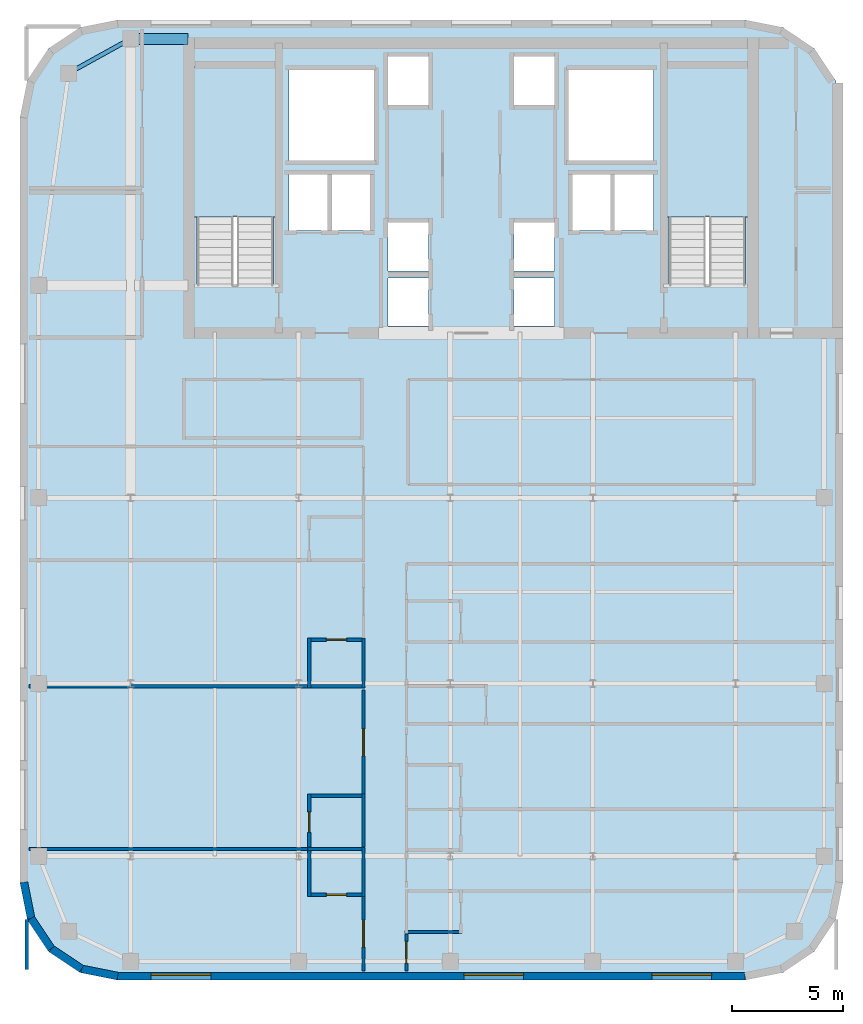
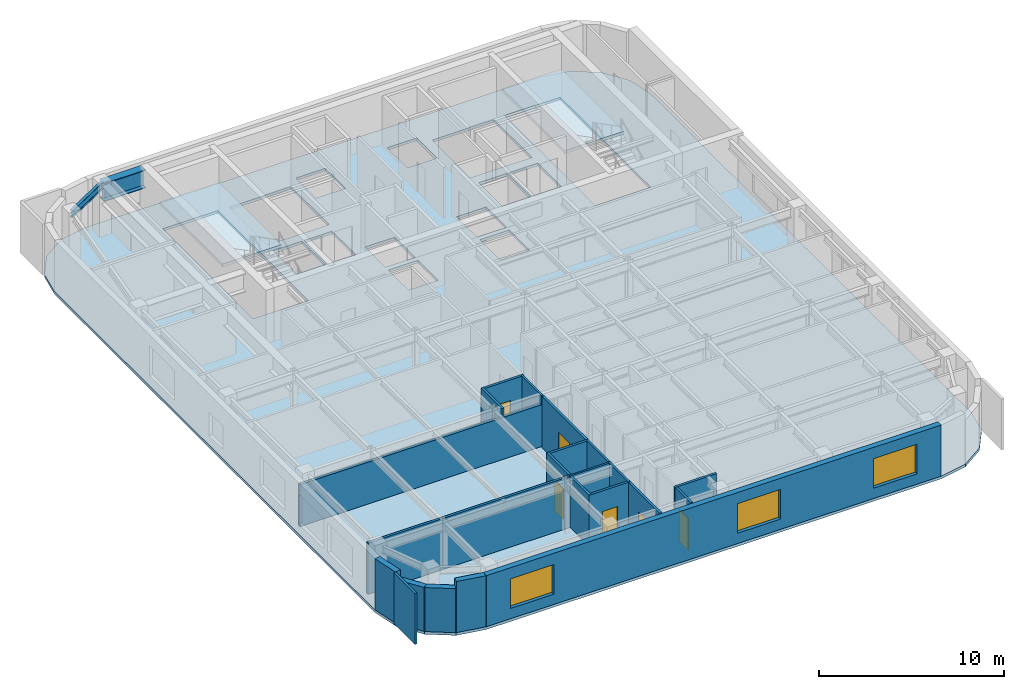
# One storey, part 3 of 9: 22 walls, 6 doors, 3 slabs, 3 windows, 2 beams, 9 openings, 2 elements without a shape of their own.
"""IFC4 building model written with IfcOpenShell, lengths in metres."""

from ifc_helpers import new_model, si_unit, direction, frame, frame_2d, origin, origin_2d, place, context, subcontext, project, spatial, polyline, rectangle, i_section, outline, extrude, source, transform, mapped, material, layer, layer_set, material_profile, profile_set, type_object, type_shapes, element, fill, aggregate, save


model = new_model("IFC4")

# Units and contexts
model_context = context("Model", 3, precision=1e-05, world=origin(), true_north=direction((0.0, 1.0)))
body_context = subcontext(model_context, "Body", "Model", "MODEL_VIEW")
ifc_project = project(units=[si_unit("LENGTHUNIT", "METRE"), si_unit("AREAUNIT", "SQUARE_METRE"), si_unit("VOLUMEUNIT", "CUBIC_METRE"), si_unit("PLANEANGLEUNIT", "RADIAN"), si_unit("MASSUNIT", "GRAM", prefix="KILO")], contexts=[model_context])

# Site, building, storey
site_placement = place(None, origin())
site = spatial("IfcSite", under=ifc_project, at=site_placement, CompositionType="ELEMENT")
building_placement = place(site_placement, origin())
building = spatial("IfcBuilding", under=site, at=building_placement, Name="Tolvann Quenvar Hotel", CompositionType="ELEMENT")
storey_placement = place(building_placement, frame((0.0, 0.0, 216.800048828125)))
storey = spatial("IfcBuildingStorey", under=building, at=storey_placement, Name="L57", CompositionType="ELEMENT", Elevation=216.800048828125)

# Beams
ifc_material_1 = material(Name="Steel Grade 350", Category="steel")
ifc_material_profile_1 = material_profile(ifc_material_1, i_section(OverallWidth=0.5, OverallDepth=1.199951171875, WebThickness=0.01611328125, FlangeThickness=0.0400390625, at=origin_2d()), Name="1200WB455")
ifc_profile_set_1 = profile_set([ifc_material_profile_1], Name="Steel Grade 350")
beam_type_1 = type_object("IfcBeamType", Name="BM_TG_1200WB455", PredefinedType="USERDEFINED", material=ifc_profile_set_1)
shared_shape_1 = source(origin(), body_context, "Body", "SweptSolid", [
    extrude(i_section(OverallWidth=0.5, OverallDepth=1.199951171875, WebThickness=0.01611328125, FlangeThickness=0.0400390625, at=origin_2d()), origin(), (0.0, 0.0, 1.0), 2.599853515625),
])
type_shapes(beam_type_1, [shared_shape_1])
beam_1_placement = place(storey_placement, frame((7.60009765625, 45.14990234375, 2.77001953125), z_axis=(1.0, 0.0, 0.0), x_axis=(0.0, 1.0, 0.0)))
element("IfcBeam", 1, at=beam_1_placement, inside=storey, type_object=beam_type_1, Name="BM-L57-CTW-CN", ObjectType="TRANSFER GIRDER", PredefinedType="USERDEFINED", context=body_context, shape_type="MappedRepresentation", body=[
    mapped(shared_shape_1, transform((0.0, 0.0, 0.0), x_axis=(1.0, 0.0, 0.0), y_axis=(0.0, 1.0, 0.0), z_axis=(0.0, 0.0, 1.0), scale=1.0)),
])
ifc_material_profile_2 = material_profile(ifc_material_1, i_section(OverallWidth=0.19091796875, OverallDepth=0.4599609375, WebThickness=0.010009765625, FlangeThickness=0.01611328125, FilletRadius=0.011474609375, at=origin_2d()), Name="460UB82")
ifc_profile_set_2 = profile_set([ifc_material_profile_2], Name="Steel Grade 350")
beam_type_2 = type_object("IfcBeamType", Name="BM_SPAND_460UB82", PredefinedType="SPANDREL", material=ifc_profile_set_2)
shared_shape_2 = source(origin(), body_context, "Body", "SweptSolid", [
    extrude(i_section(OverallWidth=0.19091796875, OverallDepth=0.4599609375, WebThickness=0.010009765625, FlangeThickness=0.01611328125, FilletRadius=0.011474609375, at=origin_2d()), origin(), (0.0, 0.0, 1.0), 3.200439453125),
])
type_shapes(beam_type_2, [shared_shape_2])
beam_2_placement = place(storey_placement, frame((4.800048828125, 43.60009765625, 3.139892578125), z_axis=(0.87492264453, 0.48426270359, 0.0), x_axis=(-0.48426270359, 0.87492264453, 0.0)))
element("IfcBeam", 2, at=beam_2_placement, inside=storey, type_object=beam_type_2, Name="BM-L57-FLK-W3", PredefinedType="SPANDREL", context=body_context, shape_type="MappedRepresentation", body=[
    mapped(shared_shape_2, transform((0.0, 0.0, 0.0), x_axis=(1.0, 0.0, 0.0), y_axis=(0.0, 1.0, 0.0), z_axis=(0.0, 0.0, 1.0), scale=1.0)),
])

# Stair, slab
ifc_material_2 = material(Name="Concrete N40 (40 MPa)", Category="concrete")
stair_type = type_object("IfcStairType", Name="STAIR", PredefinedType="HALF_TURN_STAIR", material=ifc_material_2)
stair_1_placement = place(storey_placement, origin())
stair_1 = element("IfcStair", 3, at=stair_1_placement, inside=storey, type_object=stair_type, Name="L57 ST-C1", PredefinedType="HALF_TURN_STAIR")
ifc_layer_1 = layer(ifc_material_2, 0.199951171875)
ifc_layer_set_1 = layer_set([ifc_layer_1], Name="Concrete N40 (40 MPa)")
slab_type_1 = type_object("IfcSlabType", Name="SLAB_LANDING", PredefinedType="LANDING", material=ifc_layer_set_1)
slab_1_placement = place(storey_placement, frame((0.0, 0.0, 1.574951171875)))
slab_1 = element("IfcSlab", 4, at=slab_1_placement, type_object=slab_type_1, Name="ST-C1 landing 1", PredefinedType="LANDING", context=body_context, shape_type="SweptSolid", body=[
    extrude(outline(polyline([(14.179931640625, 37.10498046875), (14.179931640625, 43.8798828125), (10.469970703125, 43.8798828125), (10.469970703125, 37.10498046875), (14.179931640625, 37.10498046875)])), origin(), (0.0, 0.0, 1.0), 0.199951171875),
])
aggregate(stair_1, [slab_1])

stair_2_placement = place(storey_placement, origin())
stair_2 = element("IfcStair", 5, at=stair_2_placement, inside=storey, type_object=stair_type, Name="L57 ST-C2", PredefinedType="HALF_TURN_STAIR")
slab_2_placement = place(storey_placement, frame((0.0, 0.0, 1.574951171875)))
slab_2 = element("IfcSlab", 6, at=slab_2_placement, type_object=slab_type_1, Name="ST-C2 landing 1", PredefinedType="LANDING", context=body_context, shape_type="SweptSolid", body=[
    extrude(outline(polyline([(35.530029296875, 37.10498046875), (35.530029296875, 43.8798828125), (31.820068359375, 43.8798828125), (31.820068359375, 37.10498046875), (35.530029296875, 37.10498046875)])), origin(), (0.0, 0.0, 1.0), 0.199951171875),
])
aggregate(stair_2, [slab_2])

# Slab
ifc_layer_2 = layer(ifc_material_2, 0.179931640625)
ifc_layer_set_2 = layer_set([ifc_layer_2], Name="Concrete N40 (40 MPa)")
slab_type_2 = type_object("IfcSlabType", Name="SLAB_TWR_180", PredefinedType="FLOOR", material=ifc_layer_set_2)
slab_3_placement = place(storey_placement, frame((0.0, 0.0, -0.179931640625)))
element("IfcSlab", 7, at=slab_3_placement, inside=storey, type_object=slab_type_2, Name="Level L57 Structural Floor Slab", PredefinedType="FLOOR", context=body_context, shape_type="SweptSolid", body=[
    extrude(outline(polyline([(2.60009765625, 7.0), (2.934814453125, 5.316162109375), (3.888671875, 3.888671875), (5.316162109375, 2.934814453125), (7.0, 2.60009765625), (35.39990234375, 2.60009765625), (37.083740234375, 2.934814453125), (38.51123046875, 3.888671875), (39.465087890625, 5.316162109375), (39.800048828125, 7.0), (39.800048828125, 41.60009765625), (39.465087890625, 43.28369140625), (38.51123046875, 44.711181640625), (37.083740234375, 45.6650390625), (35.39990234375, 46.0), (7.0, 46.0), (5.316162109375, 45.6650390625), (3.888671875, 44.711181640625), (2.934814453125, 43.28369140625), (2.60009765625, 41.60009765625), (2.60009765625, 7.0)]), holes=[polyline([(31.949951171875, 34.02490234375), (31.949951171875, 43.800048828125), (35.39990234375, 43.800048828125), (35.39990234375, 34.02490234375), (31.949951171875, 34.02490234375)]), polyline([(27.39990234375, 43.75), (31.25, 43.75), (31.25, 39.64990234375), (27.39990234375, 39.64990234375), (27.39990234375, 43.75)]), polyline([(29.449951171875, 39.02001953125), (31.25, 39.02001953125), (31.25, 36.47998046875), (29.449951171875, 36.47998046875), (29.449951171875, 39.02001953125)]), polyline([(27.574951171875, 39.02001953125), (29.324951171875, 39.02001953125), (29.324951171875, 36.47998046875), (27.574951171875, 36.47998046875), (27.574951171875, 39.02001953125)]), polyline([(24.929931640625, 36.840087890625), (26.77001953125, 36.840087890625), (26.77001953125, 34.659912109375), (24.929931640625, 34.659912109375), (24.929931640625, 36.840087890625)]), polyline([(24.929931640625, 44.340087890625), (26.77001953125, 44.340087890625), (26.77001953125, 42.159912109375), (24.929931640625, 42.159912109375), (24.929931640625, 44.340087890625)]), polyline([(24.929931640625, 32.159912109375), (24.929931640625, 34.340087890625), (26.77001953125, 34.340087890625), (26.77001953125, 32.159912109375), (24.929931640625, 32.159912109375)]), polyline([(19.22998046875, 36.840087890625), (21.070068359375, 36.840087890625), (21.070068359375, 34.659912109375), (19.22998046875, 34.659912109375), (19.22998046875, 36.840087890625)]), polyline([(19.22998046875, 44.340087890625), (21.070068359375, 44.340087890625), (21.070068359375, 42.159912109375), (19.22998046875, 42.159912109375), (19.22998046875, 44.340087890625)]), polyline([(19.22998046875, 32.159912109375), (19.22998046875, 34.340087890625), (21.070068359375, 34.340087890625), (21.070068359375, 32.159912109375), (19.22998046875, 32.159912109375)]), polyline([(14.75, 43.75), (18.60009765625, 43.75), (18.60009765625, 39.64990234375), (14.75, 39.64990234375), (14.75, 43.75)]), polyline([(16.675048828125, 39.02001953125), (18.425048828125, 39.02001953125), (18.425048828125, 36.47998046875), (16.675048828125, 36.47998046875), (16.675048828125, 39.02001953125)]), polyline([(14.75, 39.02001953125), (16.550048828125, 39.02001953125), (16.550048828125, 36.47998046875), (14.75, 36.47998046875), (14.75, 39.02001953125)]), polyline([(10.60009765625, 34.02490234375), (10.60009765625, 43.800048828125), (14.050048828125, 43.800048828125), (14.050048828125, 34.02490234375), (10.60009765625, 34.02490234375)])]), origin(), (0.0, 0.0, 1.0), 0.179931640625),
])

# Walls
ifc_material_3 = material(Name="Kiln-fired red and buff architectural clay brickwork and terracotta masonry", Category="masonry")
ifc_layer_3 = layer(ifc_material_3, 0.35009765625)
ifc_layer_set_3 = layer_set([ifc_layer_3], Name="Kiln-fired red and buff architectural clay brickwork and terracotta masonry")
wall_type_1 = type_object("IfcWallType", Name="WALL_EXT_BRICK_350", PredefinedType="SOLIDWALL", material=ifc_layer_set_3)
for number, where, z_axis, x_axis, name in (
    (8, (3.099609375, 5.384521484375, 0.0), (0.0, 0.0, 1.0), (0.555623290322, -0.831434158098, 0.0), "Exterior Chicago Brick Wall L57-E01"),
    (9, (4.014892578125, 4.014892578125, 0.0), (0.0, 0.0, 1.0), (0.831434158098, -0.555623290322, 0.0), "Exterior Chicago Brick Wall L57-E02"),
):
    element("IfcWall", number, at=place(storey_placement, frame(where, z_axis=z_axis, x_axis=x_axis)), inside=storey, type_object=wall_type_1, Name=name, PredefinedType="SOLIDWALL", context=body_context, shape_type="SweptSolid", body=[
        extrude(rectangle(XDim=1.647216796875, YDim=0.35009765625, at=frame_2d((0.82373046875, 0.0))), origin(), (0.0, 0.0, 1.0), 2.89990234375),
    ])
wall_1_placement = place(storey_placement, frame((5.384521484375, 3.099609375, 0.0), z_axis=(0.0, 0.0, 1.0), x_axis=(0.980788844421, -0.195072403631, 0.0)))
element("IfcWall", 10, at=wall_1_placement, inside=storey, type_object=wall_type_1, Name="Exterior Chicago Brick Wall L57-E03", PredefinedType="SOLIDWALL", context=body_context, shape_type="SweptSolid", body=[
    extrude(rectangle(XDim=1.66455078125, YDim=0.35009765625, at=frame_2d((0.832275390625, 0.0))), origin(), (0.0, 0.0, 1.0), 3.369873046875),
])

# Wall, openings, windows
wall_2_placement = place(storey_placement, frame((7.01708984375, 2.77490234375, 0.0), z_axis=(0.0, 0.0, 1.0), x_axis=(1.0, 0.0, 0.0)))
wall_2 = element("IfcWall", 11, at=wall_2_placement, inside=storey, type_object=wall_type_1, Name="Exterior Chicago Brick Wall L57-E04", PredefinedType="SOLIDWALL", context=body_context, shape_type="SweptSolid", body=[
    extrude(rectangle(XDim=28.36572265625, YDim=0.35009765625, at=frame_2d((14.182861328125, 0.0))), origin(), (0.0, 0.0, 1.0), 3.369873046875),
])
opening_1_placement = place(wall_2_placement, frame((1.513916015625, 0.0, 0.679931640625)))
opening_1 = element("IfcOpeningElement", 12, at=opening_1_placement, cuts=wall_2, Name="Opening W-04", PredefinedType="OPENING", context=body_context, shape_type="SweptSolid", body=[
    extrude(rectangle(XDim=2.699951171875, YDim=1.949951171875, at=frame_2d((1.35009765625, 0.97509765625))), frame((0.0, 0.18505859375, 0.0), z_axis=(0.0, -1.0, 0.0), x_axis=(1.0, 0.0, 0.0)), (0.0, 0.0, 1.0), 0.3701171875),
])
opening_2_placement = place(wall_2_placement, frame((15.64697265625, 0.0, 0.679931640625)))
opening_2 = element("IfcOpeningElement", 13, at=opening_2_placement, cuts=wall_2, Name="Opening W-04", PredefinedType="OPENING", context=body_context, shape_type="SweptSolid", body=[
    extrude(rectangle(XDim=2.699951171875, YDim=1.949951171875, at=frame_2d((1.35009765625, 0.97509765625))), frame((0.0, 0.18505859375, 0.0), z_axis=(0.0, -1.0, 0.0), x_axis=(1.0, 0.0, 0.0)), (0.0, 0.0, 1.0), 0.3701171875),
])
opening_3_placement = place(wall_2_placement, frame((24.152099609375, 0.0, 0.679931640625)))
opening_3 = element("IfcOpeningElement", 14, at=opening_3_placement, cuts=wall_2, Name="Opening W-04", PredefinedType="OPENING", context=body_context, shape_type="SweptSolid", body=[
    extrude(rectangle(XDim=2.699951171875, YDim=1.949951171875, at=frame_2d((1.35009765625, 0.97509765625))), frame((0.0, 0.18505859375, 0.0), z_axis=(0.0, -1.0, 0.0), x_axis=(1.0, 0.0, 0.0)), (0.0, 0.0, 1.0), 0.3701171875),
])
ifc_material_4 = material(Name="Thermally broken bronze-anodised aluminium frame with double low-E glazing", Category="aluminium")
window_type = type_object("IfcWindowType", Name="WIN_STE_2700x2150", PartitioningType="TRIPLE_PANEL_HORIZONTAL", PredefinedType="WINDOW", material=ifc_material_4)
shared_shape_3 = source(origin(), body_context, "Body", "SweptSolid", [
    extrude(rectangle(XDim=2.699951171875, YDim=1.949951171875, at=frame_2d((1.35009765625, 0.97509765625))), frame((0.0, 0.090087890625, 0.0), z_axis=(0.0, -1.0, 0.0), x_axis=(1.0, 0.0, 0.0)), (0.0, 0.0, 1.0), 0.06005859375),
])
type_shapes(window_type, [shared_shape_3])
window_1_placement = place(opening_1_placement, origin())
window_1 = element("IfcWindow", 15, at=window_1_placement, inside=storey, type_object=window_type, Name="Chicago Window W-04 (EW-L57-E04-W01)", OverallHeight=1.949951171875, OverallWidth=2.699951171875, PartitioningType="TRIPLE_PANEL_HORIZONTAL", PredefinedType="WINDOW", context=body_context, shape_type="MappedRepresentation", body=[
    mapped(shared_shape_3, transform((0.0, 0.0, 0.0), x_axis=(1.0, 0.0, 0.0), y_axis=(0.0, 1.0, 0.0), z_axis=(0.0, 0.0, 1.0), scale=1.0)),
])
fill(opening_1, window_1)
window_2_placement = place(opening_2_placement, origin())
window_2 = element("IfcWindow", 16, at=window_2_placement, inside=storey, type_object=window_type, Name="Chicago Window W-04 (EW-L57-E04-W02)", OverallHeight=1.949951171875, OverallWidth=2.699951171875, PartitioningType="TRIPLE_PANEL_HORIZONTAL", PredefinedType="WINDOW", context=body_context, shape_type="MappedRepresentation", body=[
    mapped(shared_shape_3, transform((0.0, 0.0, 0.0), x_axis=(1.0, 0.0, 0.0), y_axis=(0.0, 1.0, 0.0), z_axis=(0.0, 0.0, 1.0), scale=1.0)),
])
fill(opening_2, window_2)
window_3_placement = place(opening_3_placement, origin())
window_3 = element("IfcWindow", 17, at=window_3_placement, inside=storey, type_object=window_type, Name="Chicago Window W-04 (EW-L57-E04-W03)", OverallHeight=1.949951171875, OverallWidth=2.699951171875, PartitioningType="TRIPLE_PANEL_HORIZONTAL", PredefinedType="WINDOW", context=body_context, shape_type="MappedRepresentation", body=[
    mapped(shared_shape_3, transform((0.0, 0.0, 0.0), x_axis=(1.0, 0.0, 0.0), y_axis=(0.0, 1.0, 0.0), z_axis=(0.0, 0.0, 1.0), scale=1.0)),
])
fill(opening_3, window_3)

# Walls
wall_3_placement = place(storey_placement, frame((2.77490234375, 7.01708984375, 0.0), z_axis=(0.0, 0.0, 1.0), x_axis=(0.195072403631, -0.980788844421, 0.0)))
element("IfcWall", 18, at=wall_3_placement, inside=storey, type_object=wall_type_1, Name="Exterior Chicago Brick Wall L57-E20", PredefinedType="SOLIDWALL", context=body_context, shape_type="SweptSolid", body=[
    extrude(rectangle(XDim=1.66455078125, YDim=0.35009765625, at=frame_2d((0.832275390625, 0.0))), origin(), (0.0, 0.0, 1.0), 3.369873046875),
])
ifc_material_5 = material(Name="Moisture-resistant acoustic plumbing wall assembly")
ifc_layer_4 = layer(ifc_material_5, 0.1201171875)
ifc_layer_set_4 = layer_set([ifc_layer_4], Name="Moisture-resistant acoustic plumbing wall assembly")
wall_type_2 = type_object("IfcWallType", Name="WALL_PART_BATH_120", PredefinedType="PLUMBINGWALL", material=ifc_layer_set_4)
wall_4_placement = place(storey_placement, frame((15.610107421875, 8.52001953125, 0.0), z_axis=(0.0, 0.0, 1.0), x_axis=(1.0, 0.0, 0.0)))
element("IfcWall", 19, at=wall_4_placement, inside=storey, type_object=wall_type_2, Name="Non-Rated Plumbing Partition PT-SPC-L57-ENS-WO01-N", PredefinedType="PLUMBINGWALL", context=body_context, shape_type="SweptSolid", body=[
    extrude(rectangle(XDim=2.58984375, YDim=0.1201171875, at=frame_2d((1.294921875, 0.0))), origin(), (0.0, 0.0, 1.0), 3.369873046875),
])
wall_5_placement = place(storey_placement, frame((18.1298828125, 6.383056640625, 0.0), z_axis=(0.0, 0.0, 1.0), x_axis=(0.0, 1.0, 0.0)))
element("IfcWall", 20, at=wall_5_placement, inside=storey, type_object=wall_type_2, Name="Non-Rated Plumbing Partition PT-SPC-L57-ENS-WO01-E", PredefinedType="PLUMBINGWALL", context=body_context, shape_type="SweptSolid", body=[
    extrude(rectangle(XDim=2.20703125, YDim=0.1201171875, at=frame_2d((1.103515625, 0.0))), origin(), (0.0, 0.0, 1.0), 3.369873046875),
])
wall_6_placement = place(storey_placement, frame((18.1298828125, 8.610107421875, 0.0), z_axis=(0.0, 0.0, 1.0), x_axis=(0.0, 1.0, 0.0)))
element("IfcWall", 21, at=wall_6_placement, inside=storey, type_object=wall_type_2, Name="Non-Rated Plumbing Partition PT-SPC-L57-ENS-WO02-E", PredefinedType="PLUMBINGWALL", context=body_context, shape_type="SweptSolid", body=[
    extrude(rectangle(XDim=2.389892578125, YDim=0.1201171875, at=frame_2d((1.19482421875, 0.0))), origin(), (0.0, 0.0, 1.0), 3.369873046875),
])
wall_7_placement = place(storey_placement, frame((18.1298828125, 15.81005859375, 0.0), z_axis=(0.0, 0.0, 1.0), x_axis=(0.0, 1.0, 0.0)))
element("IfcWall", 22, at=wall_7_placement, inside=storey, type_object=wall_type_2, Name="Non-Rated Plumbing Partition PT-SPC-L57-ENS-WO03-E", PredefinedType="PLUMBINGWALL", context=body_context, shape_type="SweptSolid", body=[
    extrude(rectangle(XDim=2.244873046875, YDim=0.1201171875, at=frame_2d((1.12255859375, 0.0))), origin(), (0.0, 0.0, 1.0), 3.369873046875),
])
ifc_material_6 = material(Name="Acoustic twin-stud fire-rated gypsum plasterboard partition")
ifc_layer_5 = layer(ifc_material_6, 0.14990234375)
ifc_layer_set_5 = layer_set([ifc_layer_5], Name="Acoustic twin-stud fire-rated gypsum plasterboard partition")
wall_type_3 = type_object("IfcWallType", Name="WALL_PART_SUITE_150", PredefinedType="PARTITIONING", material=ifc_layer_set_5)
wall_8_placement = place(storey_placement, frame((15.679931640625, 6.383056640625, 0.0), z_axis=(0.0, 0.0, 1.0), x_axis=(0.0, 1.0, 0.0)))
element("IfcWall", 23, at=wall_8_placement, inside=storey, type_object=wall_type_3, Name="Interior Partition PT-SPC-L57-ENS-WO01-ENT", PredefinedType="PARTITIONING", context=body_context, shape_type="SweptSolid", body=[
    extrude(rectangle(XDim=2.20703125, YDim=0.14990234375, at=frame_2d((1.103515625, 0.0))), origin(), (0.0, 0.0, 1.0), 3.369873046875),
])

# Wall, opening, door
wall_9_placement = place(storey_placement, frame((15.610107421875, 6.452880859375, 0.0), z_axis=(0.0, 0.0, 1.0), x_axis=(1.0, 0.0, 0.0)))
wall_9 = element("IfcWall", 24, at=wall_9_placement, inside=storey, type_object=wall_type_3, Name="Interior Partition PT-SPC-L57-ENS-WO01-S", PredefinedType="PARTITIONING", context=body_context, shape_type="SweptSolid", body=[
    extrude(rectangle(XDim=2.58984375, YDim=0.14990234375, at=frame_2d((1.294921875, 0.0))), origin(), (0.0, 0.0, 1.0), 3.369873046875),
])
opening_4_placement = place(wall_9_placement, frame((0.8349609375, 0.0, 0.0)))
opening_4 = element("IfcOpeningElement", 25, at=opening_4_placement, cuts=wall_9, Name="Opening WD-01", PredefinedType="OPENING", context=body_context, shape_type="SweptSolid", body=[
    extrude(rectangle(XDim=0.919921875, YDim=2.010009765625, at=frame_2d((0.4599609375, 1.0048828125))), frame((0.0, 0.0849609375, 0.0), z_axis=(0.0, -1.0, 0.0), x_axis=(1.0, 0.0, 0.0)), (0.0, 0.0, 1.0), 0.169921875),
])
ifc_material_7 = material(Name="Solid-core American oak acoustic fire door leaf in steel frame", Category="steel")
door_type_1 = type_object("IfcDoorType", Name="DOOR_WC_920", OperationType="NOTDEFINED", PredefinedType="DOOR", material=ifc_material_7)
shared_shape_4 = source(origin(), body_context, "Body", "SweptSolid", [
    extrude(rectangle(XDim=0.919921875, YDim=2.010009765625, at=frame_2d((0.4599609375, 1.0048828125))), frame((0.0, 0.02490234375, 0.0), z_axis=(0.0, -1.0, 0.0), x_axis=(1.0, 0.0, 0.0)), (0.0, 0.0, 1.0), 0.050048828125),
])
type_shapes(door_type_1, [shared_shape_4])
door_1_placement = place(opening_4_placement, origin())
door_1 = element("IfcDoor", 26, at=door_1_placement, inside=storey, type_object=door_type_1, Name="Interior Door DOOR-SPC-L57-ENS-WO01", OperationType="SINGLE_SWING_RIGHT", OverallHeight=2.010009765625, OverallWidth=0.919921875, PredefinedType="DOOR", context=body_context, shape_type="MappedRepresentation", body=[
    mapped(shared_shape_4, transform((0.0, 0.0, 0.0), x_axis=(1.0, 0.0, 0.0), y_axis=(0.0, 1.0, 0.0), z_axis=(0.0, 0.0, 1.0), scale=1.0)),
])
fill(opening_4, door_1)

wall_10_placement = place(storey_placement, frame((15.679931640625, 8.610107421875, 0.0), z_axis=(0.0, 0.0, 1.0), x_axis=(0.0, 1.0, 0.0)))
wall_10 = element("IfcWall", 27, at=wall_10_placement, inside=storey, type_object=wall_type_3, Name="Interior Partition PT-SPC-L57-ENS-WO02-ENT", PredefinedType="PARTITIONING", context=body_context, shape_type="SweptSolid", body=[
    extrude(rectangle(XDim=2.389892578125, YDim=0.14990234375, at=frame_2d((1.19482421875, 0.0))), origin(), (0.0, 0.0, 1.0), 3.369873046875),
])
opening_5_placement = place(wall_10_placement, frame((0.6650390625, 0.0, 0.0)))
opening_5 = element("IfcOpeningElement", 28, at=opening_5_placement, cuts=wall_10, Name="Opening WD-01", PredefinedType="OPENING", context=body_context, shape_type="SweptSolid", body=[
    extrude(rectangle(XDim=0.919921875, YDim=2.010009765625, at=frame_2d((0.4599609375, 1.0048828125))), frame((0.0, 0.0849609375, 0.0), z_axis=(0.0, -1.0, 0.0), x_axis=(1.0, 0.0, 0.0)), (0.0, 0.0, 1.0), 0.169921875),
])
door_2_placement = place(opening_5_placement, origin())
door_2 = element("IfcDoor", 29, at=door_2_placement, inside=storey, type_object=door_type_1, Name="Interior Door DOOR-SPC-L57-ENS-WO02", OperationType="SINGLE_SWING_LEFT", OverallHeight=2.010009765625, OverallWidth=0.919921875, PredefinedType="DOOR", context=body_context, shape_type="MappedRepresentation", body=[
    mapped(shared_shape_4, transform((0.0, 0.0, 0.0), x_axis=(1.0, 0.0, 0.0), y_axis=(0.0, 1.0, 0.0), z_axis=(0.0, 0.0, 1.0), scale=1.0)),
])
fill(opening_5, door_2)

# Walls
wall_11_placement = place(storey_placement, frame((15.610107421875, 10.929931640625, 0.0), z_axis=(0.0, 0.0, 1.0), x_axis=(1.0, 0.0, 0.0)))
element("IfcWall", 30, at=wall_11_placement, inside=storey, type_object=wall_type_3, Name="Interior Partition PT-SPC-L57-ENS-WO02-N", PredefinedType="PARTITIONING", context=body_context, shape_type="SweptSolid", body=[
    extrude(rectangle(XDim=2.58984375, YDim=0.14990234375, at=frame_2d((1.294921875, 0.0))), origin(), (0.0, 0.0, 1.0), 3.369873046875),
])
wall_12_placement = place(storey_placement, frame((15.679931640625, 15.81005859375, 0.0), z_axis=(0.0, 0.0, 1.0), x_axis=(0.0, 1.0, 0.0)))
element("IfcWall", 31, at=wall_12_placement, inside=storey, type_object=wall_type_3, Name="Interior Partition PT-SPC-L57-ENS-WO03-ENT", PredefinedType="PARTITIONING", context=body_context, shape_type="SweptSolid", body=[
    extrude(rectangle(XDim=2.244873046875, YDim=0.14990234375, at=frame_2d((1.12255859375, 0.0))), origin(), (0.0, 0.0, 1.0), 3.369873046875),
])
wall_13_placement = place(storey_placement, frame((3.0048828125, 15.8798828125, 0.0), z_axis=(0.0, 0.0, 1.0), x_axis=(1.0, 0.0, 0.0)))
element("IfcWall", 32, at=wall_13_placement, inside=storey, type_object=wall_type_3, Name="Interior Partition PT-SPC-L57-ENS-WO03-S", PredefinedType="PARTITIONING", context=body_context, shape_type="SweptSolid", body=[
    extrude(rectangle(XDim=15.195068359375, YDim=0.14990234375, at=frame_2d((7.59765625, 0.0))), origin(), (0.0, 0.0, 1.0), 2.758056640625),
])

# Wall, opening, door
wall_14_placement = place(storey_placement, frame((15.610107421875, 17.985107421875, 0.0), z_axis=(0.0, 0.0, 1.0), x_axis=(1.0, 0.0, 0.0)))
wall_14 = element("IfcWall", 33, at=wall_14_placement, inside=storey, type_object=wall_type_3, Name="Interior Partition PT-SPC-L57-ENS-WO03-N", PredefinedType="PARTITIONING", context=body_context, shape_type="SweptSolid", body=[
    extrude(rectangle(XDim=2.58984375, YDim=0.14990234375, at=frame_2d((1.294921875, 0.0))), origin(), (0.0, 0.0, 1.0), 3.369873046875),
])
opening_6_placement = place(wall_14_placement, frame((0.8349609375, 0.0, 0.0)))
opening_6 = element("IfcOpeningElement", 34, at=opening_6_placement, cuts=wall_14, Name="Opening WD-01", PredefinedType="OPENING", context=body_context, shape_type="SweptSolid", body=[
    extrude(rectangle(XDim=0.919921875, YDim=2.010009765625, at=frame_2d((0.4599609375, 1.0048828125))), frame((0.0, 0.0849609375, 0.0), z_axis=(0.0, -1.0, 0.0), x_axis=(1.0, 0.0, 0.0)), (0.0, 0.0, 1.0), 0.169921875),
])
door_3_placement = place(opening_6_placement, origin())
door_3 = element("IfcDoor", 35, at=door_3_placement, inside=storey, type_object=door_type_1, Name="Interior Door DOOR-SPC-L57-ENS-WO03", OperationType="SINGLE_SWING_RIGHT", OverallHeight=2.010009765625, OverallWidth=0.919921875, PredefinedType="DOOR", context=body_context, shape_type="MappedRepresentation", body=[
    mapped(shared_shape_4, transform((0.0, 0.0, 0.0), x_axis=(1.0, 0.0, 0.0), y_axis=(0.0, 1.0, 0.0), z_axis=(0.0, 0.0, 1.0), scale=1.0)),
])
fill(opening_6, door_3)

# Wall
wall_15_placement = place(storey_placement, frame((20.0, 4.77001953125, 0.0), z_axis=(0.0, 0.0, 1.0), x_axis=(1.0, 0.0, 0.0)))
element("IfcWall", 36, at=wall_15_placement, inside=storey, type_object=wall_type_3, Name="Interior Partition PT-SPC-L57-ENS-EO01-S", PredefinedType="PARTITIONING", context=body_context, shape_type="SweptSolid", body=[
    extrude(rectangle(XDim=2.590087890625, YDim=0.14990234375, at=frame_2d((1.294921875, 0.0))), origin(), (0.0, 0.0, 1.0), 3.369873046875),
])

# Wall, opening, door
wall_16_placement = place(storey_placement, frame((18.1298828125, 3.0048828125, 0.0), z_axis=(0.0, 0.0, 1.0), x_axis=(0.0, 1.0, 0.0)))
wall_16 = element("IfcWall", 37, at=wall_16_placement, inside=storey, type_object=wall_type_3, Name="Interior Partition PT-SPC-L57-RM-WO01-ENT", PredefinedType="PARTITIONING", context=body_context, shape_type="SweptSolid", body=[
    extrude(rectangle(XDim=3.3681640625, YDim=0.14990234375, at=frame_2d((1.68408203125, 0.0))), origin(), (0.0, 0.0, 1.0), 3.369873046875),
])
opening_7_placement = place(wall_16_placement, frame((1.08154296875, 0.0, 0.0)))
opening_7 = element("IfcOpeningElement", 38, at=opening_7_placement, cuts=wall_16, Name="Opening SD-02", PredefinedType="OPENING", context=body_context, shape_type="SweptSolid", body=[
    extrude(rectangle(XDim=1.219970703125, YDim=2.080078125, at=frame_2d((0.60986328125, 1.0400390625))), frame((0.0, 0.0849609375, 0.0), z_axis=(0.0, -1.0, 0.0), x_axis=(1.0, 0.0, 0.0)), (0.0, 0.0, 1.0), 0.169921875),
])
door_type_2 = type_object("IfcDoorType", Name="DOOR_VIP_1220", OperationType="NOTDEFINED", PredefinedType="DOOR", material=ifc_material_7)
shared_shape_5 = source(origin(), body_context, "Body", "SweptSolid", [
    extrude(rectangle(XDim=1.219970703125, YDim=2.080078125, at=frame_2d((0.60986328125, 1.0400390625))), frame((0.0, 0.02490234375, 0.0), z_axis=(0.0, -1.0, 0.0), x_axis=(1.0, 0.0, 0.0)), (0.0, 0.0, 1.0), 0.050048828125),
])
type_shapes(door_type_2, [shared_shape_5])
door_4_placement = place(opening_7_placement, origin())
door_4 = element("IfcDoor", 39, at=door_4_placement, inside=storey, type_object=door_type_2, Name="Interior Door DOOR-SPC-L57-RM-WO01", OperationType="SINGLE_SWING_LEFT", OverallHeight=2.080078125, OverallWidth=1.219970703125, PredefinedType="DOOR", context=body_context, shape_type="MappedRepresentation", body=[
    mapped(shared_shape_5, transform((0.0, 0.0, 0.0), x_axis=(1.0, 0.0, 0.0), y_axis=(0.0, 1.0, 0.0), z_axis=(0.0, 0.0, 1.0), scale=1.0)),
])
fill(opening_7, door_4)

# Walls
wall_17_placement = place(storey_placement, frame((3.0048828125, 8.52001953125, 0.0), z_axis=(0.0, 0.0, 1.0), x_axis=(1.0, 0.0, 0.0)))
element("IfcWall", 40, at=wall_17_placement, inside=storey, type_object=wall_type_3, Name="Interior Partition PT-SPC-L57-RM-WO01-E5", PredefinedType="PARTITIONING", context=body_context, shape_type="SweptSolid", body=[
    extrude(rectangle(XDim=12.655029296875, YDim=0.14990234375, at=frame_2d((6.32763671875, 0.0))), origin(), (0.0, 0.0, 1.0), 3.369873046875),
])
wall_18_placement = place(storey_placement, frame((2.89990234375, 3.080078125, 0.0), z_axis=(0.0, 0.0, 1.0), x_axis=(0.0, 1.0, 0.0)))
element("IfcWall", 41, at=wall_18_placement, inside=storey, type_object=wall_type_3, Name="Interior Partition PT-SPC-L57-RM-WO01-E6", PredefinedType="PARTITIONING", context=body_context, shape_type="SweptSolid", body=[
    extrude(rectangle(XDim=2.264892578125, YDim=0.14990234375, at=frame_2d((1.13232421875, 0.0))), origin(), (0.0, 0.0, 1.0), 3.369873046875),
])

# Wall, opening, door
wall_19_placement = place(storey_placement, frame((18.1298828125, 11.010009765625, 0.0), z_axis=(0.0, 0.0, 1.0), x_axis=(0.0, 1.0, 0.0)))
wall_19 = element("IfcWall", 42, at=wall_19_placement, inside=storey, type_object=wall_type_3, Name="Interior Partition PT-SPC-L57-RM-WO02-ENT", PredefinedType="PARTITIONING", context=body_context, shape_type="SweptSolid", body=[
    extrude(rectangle(XDim=4.7099609375, YDim=0.14990234375, at=frame_2d((2.35498046875, 0.0))), origin(), (0.0, 0.0, 1.0), 3.369873046875),
])
opening_8_placement = place(wall_19_placement, frame((1.72509765625, 0.0, 0.0)))
opening_8 = element("IfcOpeningElement", 43, at=opening_8_placement, cuts=wall_19, Name="Opening SD-02", PredefinedType="OPENING", context=body_context, shape_type="SweptSolid", body=[
    extrude(rectangle(XDim=1.219970703125, YDim=2.080078125, at=frame_2d((0.60986328125, 1.0400390625))), frame((0.0, 0.0849609375, 0.0), z_axis=(0.0, -1.0, 0.0), x_axis=(1.0, 0.0, 0.0)), (0.0, 0.0, 1.0), 0.169921875),
])
door_5_placement = place(opening_8_placement, origin())
door_5 = element("IfcDoor", 44, at=door_5_placement, inside=storey, type_object=door_type_2, Name="Interior Door DOOR-SPC-L57-RM-WO02", OperationType="SINGLE_SWING_RIGHT", OverallHeight=2.080078125, OverallWidth=1.219970703125, PredefinedType="DOOR", context=body_context, shape_type="MappedRepresentation", body=[
    mapped(shared_shape_5, transform((0.0, 0.0, 0.0), x_axis=(1.0, 0.0, 0.0), y_axis=(0.0, 1.0, 0.0), z_axis=(0.0, 0.0, 1.0), scale=1.0)),
])
fill(opening_8, door_5)

wall_20_placement = place(storey_placement, frame((20.070068359375, 3.0048828125, 0.0), z_axis=(0.0, 0.0, 1.0), x_axis=(0.0, 1.0, 0.0)))
wall_20 = element("IfcWall", 45, at=wall_20_placement, inside=storey, type_object=wall_type_3, Name="Interior Partition PT-SPC-L57-RM-EO01-ENT", PredefinedType="PARTITIONING", context=body_context, shape_type="SweptSolid", body=[
    extrude(rectangle(XDim=1.68505859375, YDim=0.14990234375, at=frame_2d((0.842529296875, 0.0))), origin(), (0.0, 0.0, 1.0), 3.369873046875),
])
opening_9_placement = place(wall_20_placement, frame((0.360107421875, 0.0, 0.0)))
opening_9 = element("IfcOpeningElement", 46, at=opening_9_placement, cuts=wall_20, Name="Opening SD-01", PredefinedType="OPENING", context=body_context, shape_type="SweptSolid", body=[
    extrude(rectangle(XDim=0.97998046875, YDim=2.1201171875, at=frame_2d((0.489990234375, 1.06005859375))), frame((0.0, 0.0849609375, 0.0), z_axis=(0.0, -1.0, 0.0), x_axis=(1.0, 0.0, 0.0)), (0.0, 0.0, 1.0), 0.169921875),
])
door_type_3 = type_object("IfcDoorType", Name="DOOR_SUITE_980", OperationType="NOTDEFINED", PredefinedType="DOOR", material=ifc_material_7)
shared_shape_6 = source(origin(), body_context, "Body", "SweptSolid", [
    extrude(rectangle(XDim=0.97998046875, YDim=2.1201171875, at=frame_2d((0.489990234375, 1.06005859375))), frame((0.0, 0.02490234375, 0.0), z_axis=(0.0, -1.0, 0.0), x_axis=(1.0, 0.0, 0.0)), (0.0, 0.0, 1.0), 0.050048828125),
])
type_shapes(door_type_3, [shared_shape_6])
door_6_placement = place(opening_9_placement, origin())
door_6 = element("IfcDoor", 47, at=door_6_placement, inside=storey, type_object=door_type_3, Name="Interior Door DOOR-SPC-L57-RM-EO01", OperationType="SINGLE_SWING_LEFT", OverallHeight=2.1201171875, OverallWidth=0.97998046875, PredefinedType="DOOR", context=body_context, shape_type="MappedRepresentation", body=[
    mapped(shared_shape_6, transform((0.0, 0.0, 0.0), x_axis=(1.0, 0.0, 0.0), y_axis=(0.0, 1.0, 0.0), z_axis=(0.0, 0.0, 1.0), scale=1.0)),
])
fill(opening_9, door_6)

save(model, "model.ifc")
